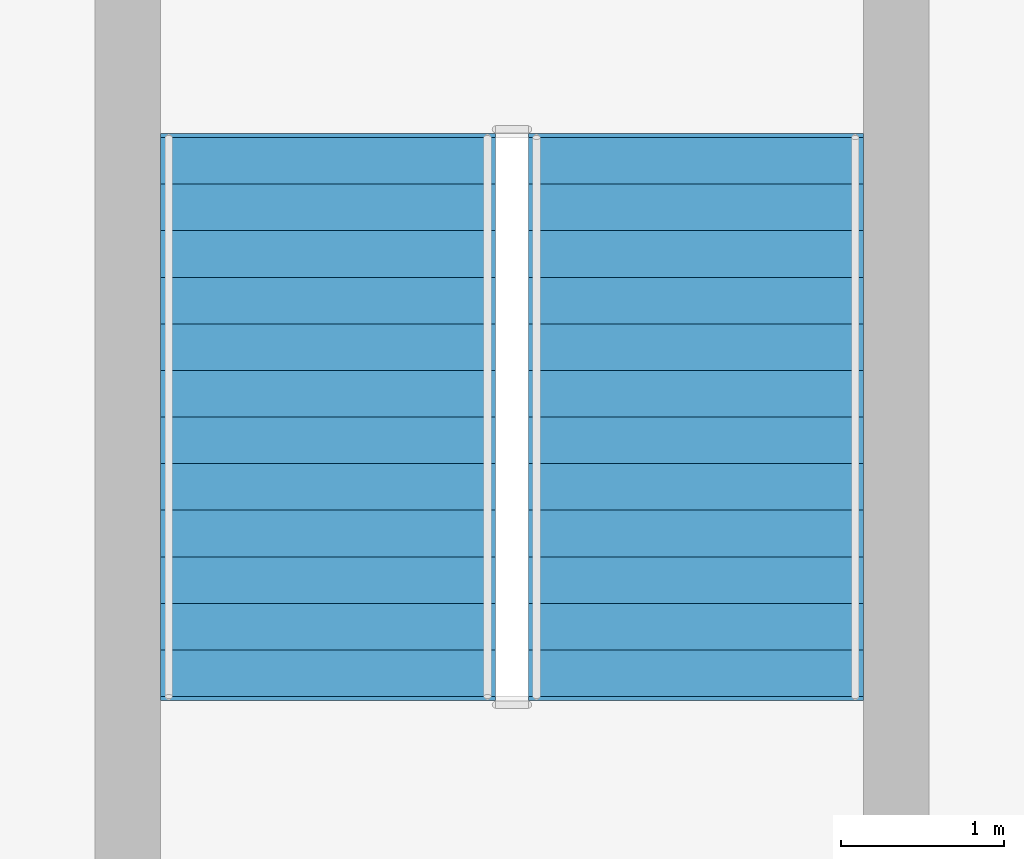
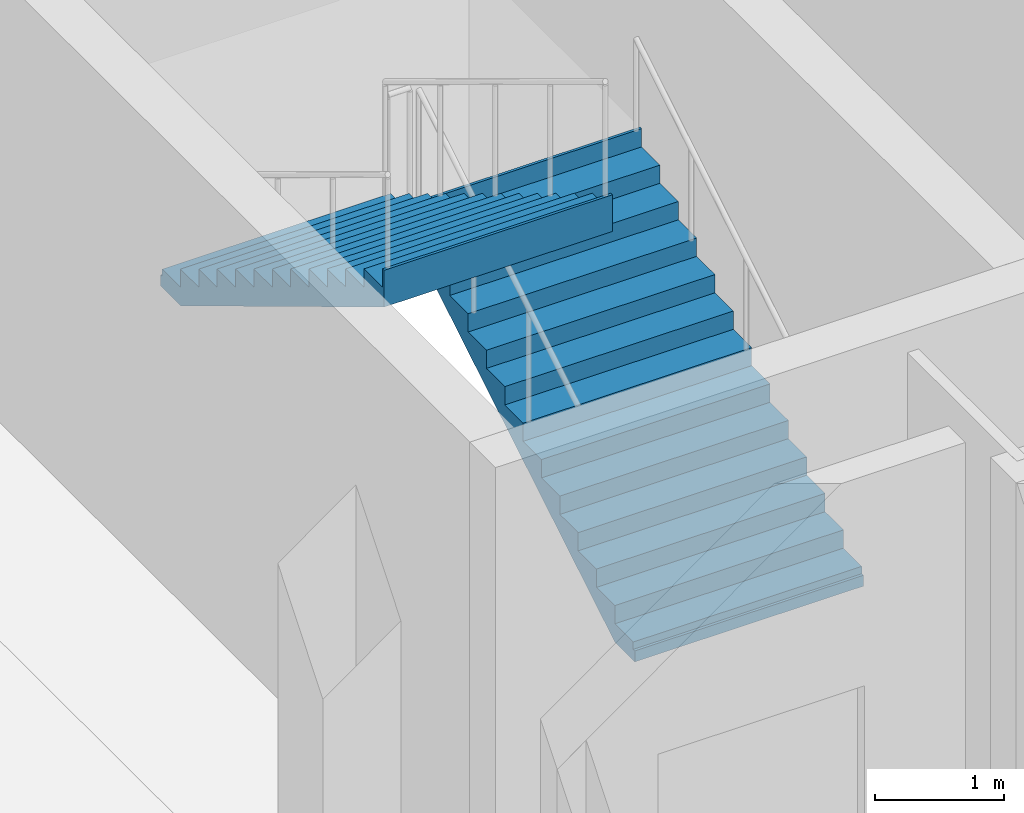
# One storey, part 56 of 75: 2 stair flights, 1 element without a shape of its own.
"""IFC4 building model written with IfcOpenShell, lengths in metres."""

from ifc_helpers import new_model, si_unit, direction, frame, origin, place, context, subcontext, project, spatial, polyline, outline, extrude, material, type_object, element, aggregate, save


model = new_model("IFC4")

# Units and contexts
model_context = context("Model", 3, precision=1e-05, world=origin(), true_north=direction((0.0, 1.0)))
body_context = subcontext(model_context, "Body", "Model", "MODEL_VIEW")
ifc_project = project(units=[si_unit("LENGTHUNIT", "METRE"), si_unit("AREAUNIT", "SQUARE_METRE"), si_unit("VOLUMEUNIT", "CUBIC_METRE"), si_unit("PLANEANGLEUNIT", "RADIAN"), si_unit("MASSUNIT", "GRAM", prefix="KILO")], contexts=[model_context])

# Site, building, storey
site_placement = place(None, origin())
site = spatial("IfcSite", under=ifc_project, at=site_placement, CompositionType="ELEMENT")
building_placement = place(site_placement, origin())
building = spatial("IfcBuilding", under=site, at=building_placement, Name="Caelomonte Colonnade Arena", CompositionType="ELEMENT")
storey_placement = place(building_placement, frame((0.0, 0.0, 14.10009765625)))
storey = spatial("IfcBuildingStorey", under=building, at=storey_placement, Name="L03", CompositionType="ELEMENT", Elevation=14.10009765625)

# Stair, stair flights
ifc_material = material(Name="Concrete C40/50", Category="concrete")
stair_type = type_object("IfcStairType", Name="INT-ST-WING45", PredefinedType="HALF_TURN_STAIR", material=ifc_material)
stair_placement = place(storey_placement, origin())
stair = element("IfcStair", 1, at=stair_placement, inside=storey, type_object=stair_type, Name="L03 Core C6 exit stair ST-06", PredefinedType="HALF_TURN_STAIR")
stair_flight_type = type_object("IfcStairFlightType", Name="INT-SF-WING45", PredefinedType="STRAIGHT", material=ifc_material)
stair_flight_1_placement = place(storey_placement, frame((158.675048828125, 127.25, 0.0), z_axis=(0.0, 0.0, 1.0), x_axis=(0.0, 1.0, 0.0)))
stair_flight_1 = element("IfcStairFlight", 2, at=stair_flight_1_placement, type_object=stair_flight_type, Name="ST-06 flight 1", NumberOfRisers=13, NumberOfTreads=12, PredefinedType="STRAIGHT", RiserHeight=0.173076923, TreadLength=0.285, context=body_context, shape_type="SweptSolid", body=[
    extrude(outline(polyline([(-0.02490234375, 0.0), (-0.02490234375, 0.103759765625), (0.0, 0.103759765625), (0.0, 0.173095703125), (0.284912109375, 0.173095703125), (0.284912109375, 0.34619140625), (0.570068359375, 0.34619140625), (0.570068359375, 0.519287109375), (0.85498046875, 0.519287109375), (0.85498046875, 0.6923828125), (1.139892578125, 0.6923828125), (1.139892578125, 0.865478515625), (1.425048828125, 0.865478515625), (1.425048828125, 1.03857421875), (1.7099609375, 1.03857421875), (1.7099609375, 1.21142578125), (1.9951171875, 1.21142578125), (1.9951171875, 1.384521484375), (2.280029296875, 1.384521484375), (2.280029296875, 1.5576171875), (2.56494140625, 1.5576171875), (2.56494140625, 1.730712890625), (2.85009765625, 1.730712890625), (2.85009765625, 1.90380859375), (3.135009765625, 1.90380859375), (3.135009765625, 2.076904296875), (3.419921875, 2.076904296875), (3.419921875, 2.25), (3.445068359375, 2.25), (3.445068359375, 1.901611328125), (0.288818359375, 0.0), (-0.02490234375, 0.0)])), frame((0.0, 1.02490234375, 0.0), z_axis=(0.0, -1.0, 0.0), x_axis=(1.0, 0.0, 0.0)), (0.0, 0.0, 1.0), 2.050048828125),
])
stair_flight_2_placement = place(storey_placement, frame((156.425048828125, 130.669921875, 2.25), z_axis=(0.0, 0.0, 1.0), x_axis=(0.0, -1.0, 0.0)))
stair_flight_2 = element("IfcStairFlight", 3, at=stair_flight_2_placement, type_object=stair_flight_type, Name="ST-06 flight 2", NumberOfRisers=13, NumberOfTreads=12, PredefinedType="STRAIGHT", RiserHeight=0.173076923, TreadLength=0.285, context=body_context, shape_type="SweptSolid", body=[
    extrude(outline(polyline([(-0.02490234375, 0.0), (-0.02490234375, 0.103759765625), (0.0, 0.103759765625), (0.0, 0.173095703125), (0.284912109375, 0.173095703125), (0.284912109375, 0.34619140625), (0.570068359375, 0.34619140625), (0.570068359375, 0.519287109375), (0.85498046875, 0.519287109375), (0.85498046875, 0.6923828125), (1.139892578125, 0.6923828125), (1.139892578125, 0.865478515625), (1.425048828125, 0.865478515625), (1.425048828125, 1.03857421875), (1.7099609375, 1.03857421875), (1.7099609375, 1.21142578125), (1.9951171875, 1.21142578125), (1.9951171875, 1.384521484375), (2.280029296875, 1.384521484375), (2.280029296875, 1.5576171875), (2.56494140625, 1.5576171875), (2.56494140625, 1.730712890625), (2.85009765625, 1.730712890625), (2.85009765625, 1.90380859375), (3.135009765625, 1.90380859375), (3.135009765625, 2.076904296875), (3.419921875, 2.076904296875), (3.419921875, 2.25), (3.445068359375, 2.25), (3.445068359375, 1.901611328125), (0.288818359375, 0.0), (-0.02490234375, 0.0)])), frame((0.0, 1.02490234375, 0.0), z_axis=(0.0, -1.0, 0.0), x_axis=(1.0, 0.0, 0.0)), (0.0, 0.0, 1.0), 2.050048828125),
])
aggregate(stair, [stair_flight_1, stair_flight_2])

save(model, "model.ifc")
